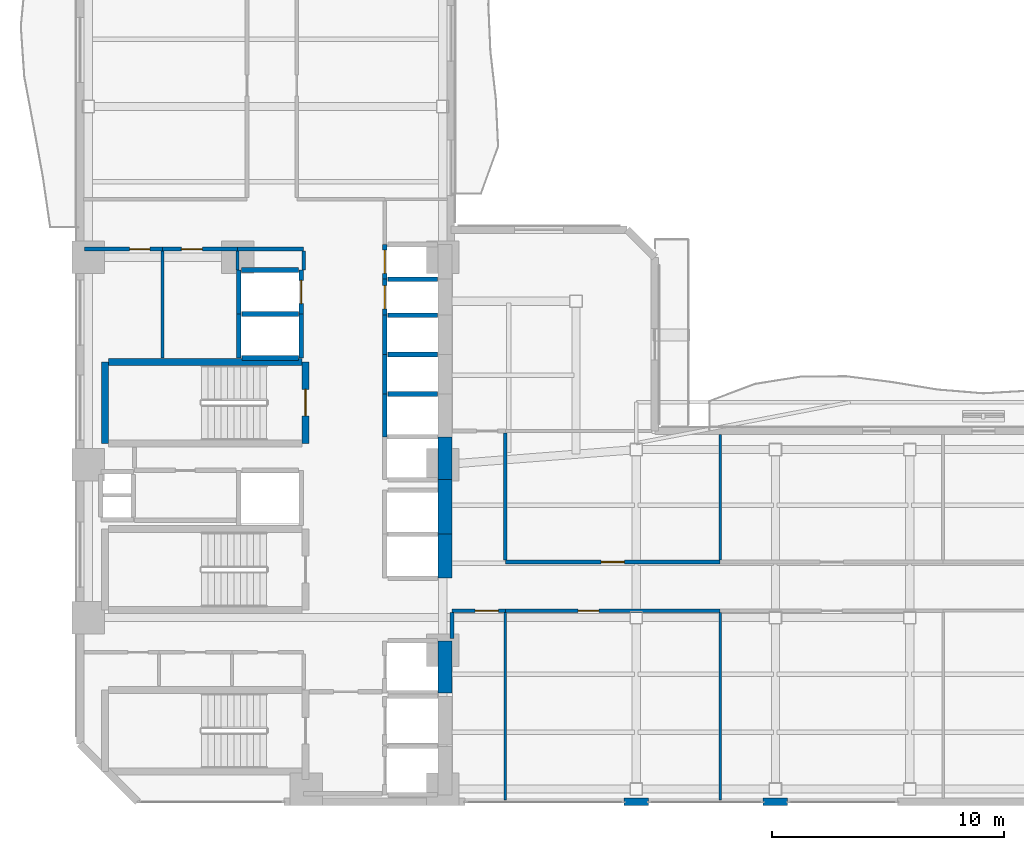
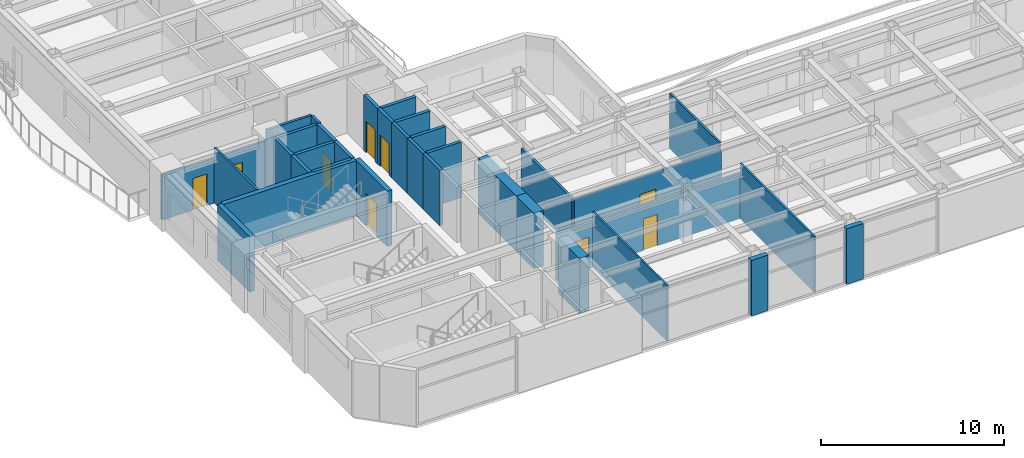
# One storey, part 10 of 17: 39 walls, 9 doors, 9 openings.
"""IFC4 building model written with IfcOpenShell, lengths in metres."""

from ifc_helpers import new_model, si_unit, direction, frame, frame_2d, origin, place, context, subcontext, project, spatial, rectangle, extrude, material, layer, layer_set, type_object, element, fill, save


model = new_model("IFC4")

# Units and contexts
model_context = context("Model", 3, precision=1e-05, world=origin(), true_north=direction((0.0, 1.0)))
body_context = subcontext(model_context, "Body", "Model", "MODEL_VIEW")
ifc_project = project(units=[si_unit("LENGTHUNIT", "METRE"), si_unit("AREAUNIT", "SQUARE_METRE"), si_unit("VOLUMEUNIT", "CUBIC_METRE"), si_unit("PLANEANGLEUNIT", "RADIAN"), si_unit("MASSUNIT", "GRAM", prefix="KILO")], contexts=[model_context])

# Site, building, storey
site_placement = place(None, origin())
site = spatial("IfcSite", under=ifc_project, at=site_placement, CompositionType="ELEMENT")
building_placement = place(site_placement, origin())
building = spatial("IfcBuilding", under=site, at=building_placement, Name="Mawjaban Terraces University", CompositionType="ELEMENT")
storey_placement = place(building_placement, frame((0.0, 0.0, 85.60009765625)))
storey = spatial("IfcBuildingStorey", under=building, at=storey_placement, Name="L20", CompositionType="ELEMENT", Elevation=85.60009765625)

# Walls
ifc_material_1 = material(Name="Concrete C70/85", Category="concrete")
ifc_layer_1 = layer(ifc_material_1, 0.60009765625)
ifc_layer_set_1 = layer_set([ifc_layer_1], Name="Concrete C70/85")
wall_type_1 = type_object("IfcWallType", Name="CoreShearWall_600", PredefinedType="SHEAR", material=ifc_layer_set_1)
wall_1_placement = place(storey_placement, frame((37.75, 4.699951171875, 0.0), z_axis=(0.0, 0.0, 1.0), x_axis=(0.0, 1.0, 0.0)))
element("IfcWall", 1, at=wall_1_placement, inside=storey, type_object=wall_type_1, Name="L20 Lift SL-1 Hoistway Wall East", PredefinedType="SHEAR", context=body_context, shape_type="SweptSolid", body=[
    extrude(rectangle(XDim=2.25, YDim=0.60009765625, at=frame_2d((1.125, 0.0))), origin(), (0.0, 0.0, 1.0), 3.68994140625),
])
wall_2_placement = place(storey_placement, frame((37.75, 9.64990234375, 0.0), z_axis=(0.0, 0.0, 1.0), x_axis=(0.0, 1.0, 0.0)))
element("IfcWall", 2, at=wall_2_placement, inside=storey, type_object=wall_type_1, Name="L20 Lift PL-H1 Hoistway Wall East", PredefinedType="SHEAR", context=body_context, shape_type="SweptSolid", body=[
    extrude(rectangle(XDim=1.900146484375, YDim=0.60009765625, at=frame_2d((0.9501953125, 0.0))), origin(), (0.0, 0.0, 1.0), 3.68994140625),
])
wall_3_placement = place(storey_placement, frame((37.75, 11.550048828125, 0.0), z_axis=(0.0, 0.0, 1.0), x_axis=(0.0, 1.0, 0.0)))
element("IfcWall", 3, at=wall_3_placement, inside=storey, type_object=wall_type_1, Name="L20 Lift PL-H2 Hoistway Wall East", PredefinedType="SHEAR", context=body_context, shape_type="SweptSolid", body=[
    extrude(rectangle(XDim=2.349853515625, YDim=0.60009765625, at=frame_2d((1.1748046875, 0.0))), origin(), (0.0, 0.0, 1.0), 3.68994140625),
])
wall_4_placement = place(storey_placement, frame((37.75, 13.89990234375, 0.0), z_axis=(0.0, 0.0, 1.0), x_axis=(0.0, 1.0, 0.0)))
element("IfcWall", 4, at=wall_4_placement, inside=storey, type_object=wall_type_1, Name="L20 Lift OL-1 Hoistway Wall East", PredefinedType="SHEAR", context=body_context, shape_type="SweptSolid", body=[
    extrude(rectangle(XDim=1.85009765625, YDim=0.60009765625, at=frame_2d((0.925048828125, 0.0))), origin(), (0.0, 0.0, 1.0), 3.68994140625),
])

# Wall, opening, door
ifc_material_2 = material(Name="Fire-rated gypsum board on steel stud", Category="steel")
ifc_layer_2 = layer(ifc_material_2, 0.159912109375)
ifc_layer_set_2 = layer_set([ifc_layer_2], Name="Fire-rated gypsum board on steel stud")
wall_type_2 = type_object("IfcWallType", Name="CorridorPartition_160", PredefinedType="PARTITIONING", material=ifc_layer_set_2)
wall_5_placement = place(storey_placement, frame((25.550048828125, 23.85009765625, 0.0), z_axis=(0.0, 0.0, 1.0), x_axis=(-1.0, 0.0, 0.0)))
wall_5 = element("IfcWall", 5, at=wall_5_placement, inside=storey, type_object=wall_type_2, Name="L20 Ablution Room Partition 5", PredefinedType="PARTITIONING", context=body_context, shape_type="SweptSolid", body=[
    extrude(rectangle(XDim=3.35009765625, YDim=0.159912109375, at=frame_2d((1.675048828125, 0.0))), origin(), (0.0, 0.0, 1.0), 2.994873046875),
])
opening_1_placement = place(wall_5_placement, frame((0.534912109375, 0.0, 0.0)))
opening_1 = element("IfcOpeningElement", 6, at=opening_1_placement, cuts=wall_5, Name="Opening ID-088", PredefinedType="OPENING", context=body_context, shape_type="SweptSolid", body=[
    extrude(rectangle(XDim=0.8798828125, YDim=2.10009765625, at=frame_2d((0.43994140625, 1.050048828125))), frame((0.0, 0.08984375, 0.0), z_axis=(0.0, -1.0, 0.0), x_axis=(1.0, 0.0, 0.0)), (0.0, 0.0, 1.0), 0.179931640625),
])
ifc_material_3 = material(Name="Powder-coated steel frame and solid acoustic timber leaf", Category="steel")
door_type_1 = type_object("IfcDoorType", Name="ToiletDoor_880x2100", OperationType="NOTDEFINED", PredefinedType="DOOR", material=ifc_material_3)
door_1_placement = place(opening_1_placement, origin())
door_1 = element("IfcDoor", 7, at=door_1_placement, inside=storey, type_object=door_type_1, Name="L20 Ablution Room Door", OperationType="SINGLE_SWING_LEFT", OverallHeight=2.10009765625, OverallWidth=0.8798828125, PredefinedType="DOOR", context=body_context, shape_type="SweptSolid", body=[
    extrude(rectangle(XDim=0.8798828125, YDim=2.10009765625, at=frame_2d((0.43994140625, 1.050048828125))), frame((0.0, 0.02490234375, 0.0), z_axis=(0.0, -1.0, 0.0), x_axis=(1.0, 0.0, 0.0)), (0.0, 0.0, 1.0), 0.050048828125),
])
fill(opening_1, door_1)

wall_6_placement = place(storey_placement, frame((28.800048828125, 23.85009765625, 0.0), z_axis=(0.0, 0.0, 1.0), x_axis=(-1.0, 0.0, 0.0)))
wall_6 = element("IfcWall", 8, at=wall_6_placement, inside=storey, type_object=wall_type_2, Name="L20 Cleaner Store Partition 7", PredefinedType="PARTITIONING", context=body_context, shape_type="SweptSolid", body=[
    extrude(rectangle(XDim=3.25, YDim=0.159912109375, at=frame_2d((1.625, 0.0))), origin(), (0.0, 0.0, 1.0), 2.994873046875),
])
opening_2_placement = place(wall_6_placement, frame((1.52490234375, 0.0, 0.0)))
opening_2 = element("IfcOpeningElement", 9, at=opening_2_placement, cuts=wall_6, Name="Opening ID-090", PredefinedType="OPENING", context=body_context, shape_type="SweptSolid", body=[
    extrude(rectangle(XDim=0.89990234375, YDim=2.10009765625, at=frame_2d((0.449951171875, 1.050048828125))), frame((0.0, 0.08984375, 0.0), z_axis=(0.0, -1.0, 0.0), x_axis=(1.0, 0.0, 0.0)), (0.0, 0.0, 1.0), 0.179931640625),
])
door_type_2 = type_object("IfcDoorType", Name="OfficeDoor_900x2100", OperationType="NOTDEFINED", PredefinedType="DOOR", material=ifc_material_3)
door_2_placement = place(opening_2_placement, origin())
door_2 = element("IfcDoor", 10, at=door_2_placement, inside=storey, type_object=door_type_2, Name="L20 Cleaner Store Door", OperationType="SINGLE_SWING_RIGHT", OverallHeight=2.10009765625, OverallWidth=0.89990234375, PredefinedType="DOOR", context=body_context, shape_type="SweptSolid", body=[
    extrude(rectangle(XDim=0.89990234375, YDim=2.10009765625, at=frame_2d((0.449951171875, 1.050048828125))), frame((0.0, 0.02490234375, 0.0), z_axis=(0.0, -1.0, 0.0), x_axis=(1.0, 0.0, 0.0)), (0.0, 0.0, 1.0), 0.050048828125),
])
fill(opening_2, door_2)

# Wall
wall_7_placement = place(storey_placement, frame((28.800048828125, 23.85009765625, 0.0), z_axis=(0.0, 0.0, 1.0), x_axis=(1.0, 0.0, 0.0)))
element("IfcWall", 11, at=wall_7_placement, inside=storey, type_object=wall_type_2, Name="L20 North Core Cross-Corridor Partition 8", PredefinedType="PARTITIONING", context=body_context, shape_type="SweptSolid", body=[
    extrude(rectangle(XDim=2.849853515625, YDim=0.159912109375, at=frame_2d((1.4248046875, 0.0))), origin(), (0.0, 0.0, 1.0), 3.68994140625),
])

# Wall, opening, door
wall_8_placement = place(storey_placement, frame((38.050048828125, 8.25, 0.0), z_axis=(0.0, 0.0, 1.0), x_axis=(1.0, 0.0, 0.0)))
wall_8 = element("IfcWall", 12, at=wall_8_placement, inside=storey, type_object=wall_type_2, Name="L20 East Academic Corridor Vestibule Partition 18", PredefinedType="PARTITIONING", context=body_context, shape_type="SweptSolid", body=[
    extrude(rectangle(XDim=2.300048828125, YDim=0.159912109375, at=frame_2d((1.14990234375, 0.0))), origin(), (0.0, 0.0, 1.0), 2.994873046875),
])
opening_3_placement = place(wall_8_placement, frame((1.0, 0.0, 0.0)))
opening_3 = element("IfcOpeningElement", 13, at=opening_3_placement, cuts=wall_8, Name="Opening ID-100", PredefinedType="OPENING", context=body_context, shape_type="SweptSolid", body=[
    extrude(rectangle(XDim=1.0, YDim=2.10009765625, at=frame_2d((0.5, 1.050048828125))), frame((0.0, 0.08984375, 0.0), z_axis=(0.0, -1.0, 0.0), x_axis=(1.0, 0.0, 0.0)), (0.0, 0.0, 1.0), 0.179931640625),
])
door_type_3 = type_object("IfcDoorType", Name="ClassroomDoor_1000x2100", OperationType="NOTDEFINED", PredefinedType="DOOR", material=ifc_material_3)
door_3_placement = place(opening_3_placement, origin())
door_3 = element("IfcDoor", 14, at=door_3_placement, inside=storey, type_object=door_type_3, Name="L20 Tutorial Room 1 Door", OperationType="SINGLE_SWING_LEFT", OverallHeight=2.10009765625, OverallWidth=1.0, PredefinedType="DOOR", context=body_context, shape_type="SweptSolid", body=[
    extrude(rectangle(XDim=1.0, YDim=2.10009765625, at=frame_2d((0.5, 1.050048828125))), frame((0.0, 0.02490234375, 0.0), z_axis=(0.0, -1.0, 0.0), x_axis=(1.0, 0.0, 0.0)), (0.0, 0.0, 1.0), 0.050048828125),
])
fill(opening_3, door_3)

wall_9_placement = place(storey_placement, frame((40.35009765625, 8.25, 0.0), z_axis=(0.0, 0.0, 1.0), x_axis=(1.0, 0.0, 0.0)))
wall_9 = element("IfcWall", 15, at=wall_9_placement, inside=storey, type_object=wall_type_2, Name="L20 East Academic Spine Corridor Partition 19", PredefinedType="PARTITIONING", context=body_context, shape_type="SweptSolid", body=[
    extrude(rectangle(XDim=9.27001953125, YDim=0.159912109375, at=frame_2d((4.635009765625, 0.0))), origin(), (0.0, 0.0, 1.0), 2.994873046875),
])
opening_4_placement = place(wall_9_placement, frame((3.135009765625, 0.0, 0.0)))
opening_4 = element("IfcOpeningElement", 16, at=opening_4_placement, cuts=wall_9, Name="Opening ID-090", PredefinedType="OPENING", context=body_context, shape_type="SweptSolid", body=[
    extrude(rectangle(XDim=0.89990234375, YDim=2.10009765625, at=frame_2d((0.449951171875, 1.050048828125))), frame((0.0, 0.08984375, 0.0), z_axis=(0.0, -1.0, 0.0), x_axis=(1.0, 0.0, 0.0)), (0.0, 0.0, 1.0), 0.179931640625),
])
door_4_placement = place(opening_4_placement, origin())
door_4 = element("IfcDoor", 17, at=door_4_placement, inside=storey, type_object=door_type_2, Name="L20 Conference Room 2 Door", OperationType="SINGLE_SWING_RIGHT", OverallHeight=2.10009765625, OverallWidth=0.89990234375, PredefinedType="DOOR", context=body_context, shape_type="SweptSolid", body=[
    extrude(rectangle(XDim=0.89990234375, YDim=2.10009765625, at=frame_2d((0.449951171875, 1.050048828125))), frame((0.0, 0.02490234375, 0.0), z_axis=(0.0, -1.0, 0.0), x_axis=(1.0, 0.0, 0.0)), (0.0, 0.0, 1.0), 0.050048828125),
])
fill(opening_4, door_4)

wall_10_placement = place(storey_placement, frame((49.6201171875, 10.35009765625, 0.0), z_axis=(0.0, 0.0, 1.0), x_axis=(-1.0, 0.0, 0.0)))
wall_10 = element("IfcWall", 18, at=wall_10_placement, inside=storey, type_object=wall_type_2, Name="L20 East Academic Spine Corridor Partition 23", PredefinedType="PARTITIONING", context=body_context, shape_type="SweptSolid", body=[
    extrude(rectangle(XDim=9.27001953125, YDim=0.159912109375, at=frame_2d((4.635009765625, 0.0))), origin(), (0.0, 0.0, 1.0), 3.226806640625),
])
opening_5_placement = place(wall_10_placement, frame((4.135009765625, 0.0, 0.0)))
opening_5 = element("IfcOpeningElement", 19, at=opening_5_placement, cuts=wall_10, Name="Opening ID-100", PredefinedType="OPENING", context=body_context, shape_type="SweptSolid", body=[
    extrude(rectangle(XDim=1.0, YDim=2.10009765625, at=frame_2d((0.5, 1.050048828125))), frame((0.0, 0.08984375, 0.0), z_axis=(0.0, -1.0, 0.0), x_axis=(1.0, 0.0, 0.0)), (0.0, 0.0, 1.0), 0.179931640625),
])
door_5_placement = place(opening_5_placement, origin())
door_5 = element("IfcDoor", 20, at=door_5_placement, inside=storey, type_object=door_type_3, Name="L20 Classroom 3 Door", OperationType="SINGLE_SWING_LEFT", OverallHeight=2.10009765625, OverallWidth=1.0, PredefinedType="DOOR", context=body_context, shape_type="SweptSolid", body=[
    extrude(rectangle(XDim=1.0, YDim=2.10009765625, at=frame_2d((0.5, 1.050048828125))), frame((0.0, 0.02490234375, 0.0), z_axis=(0.0, -1.0, 0.0), x_axis=(1.0, 0.0, 0.0)), (0.0, 0.0, 1.0), 0.050048828125),
])
fill(opening_5, door_5)

# Walls
wall_11_placement = place(storey_placement, frame((31.64990234375, 23.77490234375, 0.0), z_axis=(0.0, 0.0, 1.0), x_axis=(0.0, -1.0, 0.0)))
element("IfcWall", 21, at=wall_11_placement, inside=storey, type_object=wall_type_2, Name="L20 Passenger Lift Lobby Partition 41", PredefinedType="PARTITIONING", context=body_context, shape_type="SweptSolid", body=[
    extrude(rectangle(XDim=0.824951171875, YDim=0.159912109375, at=frame_2d((0.41259765625, 0.0))), origin(), (0.0, 0.0, 1.0), 3.68994140625),
])
wall_12_placement = place(storey_placement, frame((38.050048828125, 7.050048828125, 0.0), z_axis=(0.0, 0.0, 1.0), x_axis=(0.0, 1.0, 0.0)))
element("IfcWall", 22, at=wall_12_placement, inside=storey, type_object=wall_type_2, Name="L20 Core Stair and Lift Lobby East Partition 43", PredefinedType="PARTITIONING", context=body_context, shape_type="SweptSolid", body=[
    extrude(rectangle(XDim=1.125, YDim=0.159912109375, at=frame_2d((0.5625, 0.0))), origin(), (0.0, 0.0, 1.0), 2.994873046875),
])
wall_13_placement = place(storey_placement, frame((40.35009765625, 10.425048828125, 0.0), z_axis=(0.0, 0.0, 1.0), x_axis=(0.0, 1.0, 0.0)))
element("IfcWall", 23, at=wall_13_placement, inside=storey, type_object=wall_type_2, Name="L20 East Academic Corridor Vestibule Partition 45", PredefinedType="PARTITIONING", context=body_context, shape_type="SweptSolid", body=[
    extrude(rectangle(XDim=5.5, YDim=0.159912109375, at=frame_2d((2.75, 0.0))), origin(), (0.0, 0.0, 1.0), 3.226806640625),
])
ifc_material_4 = material(Name="Insulated terracotta rainscreen on concrete backup C40/50", Category="masonry")
ifc_layer_3 = layer(ifc_material_4, 0.320068359375)
ifc_layer_set_3 = layer_set([ifc_layer_3], Name="Insulated terracotta rainscreen on concrete backup C40/50")
wall_type_3 = type_object("IfcWallType", Name="ExtTerracottaWall_320", PredefinedType="SOLIDWALL", material=ifc_layer_set_3)
for number, where, z_axis, x_axis, name in (
    (24, (45.47509765625, 0.0, 0.0), (0.0, 0.0, 1.0), (1.0, 0.0, 0.0), "L20 Exterior Terracotta Pier Wall 1.2"),
    (25, (51.47509765625, 0.0, 0.0), (0.0, 0.0, 1.0), (1.0, 0.0, 0.0), "L20 Exterior Terracotta Pier Wall 1.3"),
):
    element("IfcWall", number, at=place(storey_placement, frame(where, z_axis=z_axis, x_axis=x_axis)), inside=storey, type_object=wall_type_3, Name=name, PredefinedType="SOLIDWALL", context=body_context, shape_type="SweptSolid", body=[
        extrude(rectangle(XDim=1.0498046875, YDim=0.320068359375, at=frame_2d((0.52490234375, 0.0))), origin(), (0.0, 0.0, 1.0), 3.68994140625),
    ])
ifc_material_5 = material(Name="Concrete C40/50", Category="concrete")
ifc_layer_4 = layer(ifc_material_5, 0.199951171875)
ifc_layer_set_4 = layer_set([ifc_layer_4], Name="Concrete C40/50")
wall_type_4 = type_object("IfcWallType", Name="FireLobbyWall_200", PredefinedType="SOLIDWALL", material=ifc_layer_set_4)
wall_14_placement = place(storey_placement, frame((35.14990234375, 17.60009765625, 0.0), z_axis=(0.0, 0.0, 1.0), x_axis=(0.0, -1.0, 0.0)))
element("IfcWall", 26, at=wall_14_placement, inside=storey, type_object=wall_type_4, Name="L20 Lift OL-2 Hoistway Wall West", PredefinedType="SOLIDWALL", context=body_context, shape_type="SweptSolid", body=[
    extrude(rectangle(XDim=1.85009765625, YDim=0.199951171875, at=frame_2d((0.925048828125, 0.0))), origin(), (0.0, 0.0, 1.0), 3.68994140625),
])
wall_15_placement = place(storey_placement, frame((37.419921875, 17.60009765625, 0.0), z_axis=(0.0, 0.0, 1.0), x_axis=(-1.0, 0.0, 0.0)))
element("IfcWall", 27, at=wall_15_placement, inside=storey, type_object=wall_type_4, Name="L20 Lift OL-2 Hoistway Wall North", PredefinedType="SOLIDWALL", context=body_context, shape_type="SweptSolid", body=[
    extrude(rectangle(XDim=2.139892578125, YDim=0.199951171875, at=frame_2d((1.06982421875, 0.0))), origin(), (0.0, 0.0, 1.0), 3.68994140625),
])
wall_16_placement = place(storey_placement, frame((35.14990234375, 19.300048828125, 0.0), z_axis=(0.0, 0.0, 1.0), x_axis=(0.0, -1.0, 0.0)))
element("IfcWall", 28, at=wall_16_placement, inside=storey, type_object=wall_type_4, Name="L20 Lift PL-M1 Hoistway Wall West", PredefinedType="SOLIDWALL", context=body_context, shape_type="SweptSolid", body=[
    extrude(rectangle(XDim=1.699951171875, YDim=0.199951171875, at=frame_2d((0.85009765625, 0.0))), origin(), (0.0, 0.0, 1.0), 3.68994140625),
])
wall_17_placement = place(storey_placement, frame((37.419921875, 19.300048828125, 0.0), z_axis=(0.0, 0.0, 1.0), x_axis=(-1.0, 0.0, 0.0)))
element("IfcWall", 29, at=wall_17_placement, inside=storey, type_object=wall_type_4, Name="L20 Lift PL-M1 Hoistway Wall North", PredefinedType="SOLIDWALL", context=body_context, shape_type="SweptSolid", body=[
    extrude(rectangle(XDim=2.139892578125, YDim=0.199951171875, at=frame_2d((1.06982421875, 0.0))), origin(), (0.0, 0.0, 1.0), 3.68994140625),
])
wall_18_placement = place(storey_placement, frame((35.14990234375, 21.0, 0.0), z_axis=(0.0, 0.0, 1.0), x_axis=(0.0, -1.0, 0.0)))
element("IfcWall", 30, at=wall_18_placement, inside=storey, type_object=wall_type_4, Name="L20 Lift PL-M2 Hoistway Wall West", PredefinedType="SOLIDWALL", context=body_context, shape_type="SweptSolid", body=[
    extrude(rectangle(XDim=1.699951171875, YDim=0.199951171875, at=frame_2d((0.85009765625, 0.0))), origin(), (0.0, 0.0, 1.0), 3.68994140625),
])
wall_19_placement = place(storey_placement, frame((37.419921875, 21.0, 0.0), z_axis=(0.0, 0.0, 1.0), x_axis=(-1.0, 0.0, 0.0)))
element("IfcWall", 31, at=wall_19_placement, inside=storey, type_object=wall_type_4, Name="L20 Lift PL-M2 Hoistway Wall North", PredefinedType="SOLIDWALL", context=body_context, shape_type="SweptSolid", body=[
    extrude(rectangle(XDim=2.139892578125, YDim=0.199951171875, at=frame_2d((1.06982421875, 0.0))), origin(), (0.0, 0.0, 1.0), 3.68994140625),
])
for number, where, z_axis, x_axis, name in (
    (32, (28.85009765625, 21.050048828125, 0.0), (0.0, 0.0, 1.0), (0.0, -1.0, 0.0), "L20 Lift PL-M3 Hoistway Wall West"),
    (33, (31.550048828125, 19.14990234375, 0.0), (0.0, 0.0, 1.0), (0.0, 1.0, 0.0), "L20 Lift PL-M3 Hoistway Wall East"),
):
    element("IfcWall", number, at=place(storey_placement, frame(where, z_axis=z_axis, x_axis=x_axis)), inside=storey, type_object=wall_type_4, Name=name, PredefinedType="SOLIDWALL", context=body_context, shape_type="SweptSolid", body=[
        extrude(rectangle(XDim=1.900146484375, YDim=0.199951171875, at=frame_2d((0.9501953125, 0.0))), origin(), (0.0, 0.0, 1.0), 3.68994140625),
    ])
for number, where, z_axis, x_axis, name in (
    (34, (28.97998046875, 19.14990234375, 0.0), (0.0, 0.0, 1.0), (1.0, 0.0, 0.0), "L20 Lift PL-M3 Hoistway Wall South"),
    (35, (31.419921875, 21.050048828125, 0.0), (0.0, 0.0, 1.0), (-1.0, 0.0, 0.0), "L20 Lift PL-M3 Hoistway Wall North"),
):
    element("IfcWall", number, at=place(storey_placement, frame(where, z_axis=z_axis, x_axis=x_axis)), inside=storey, type_object=wall_type_4, Name=name, PredefinedType="SOLIDWALL", context=body_context, shape_type="SweptSolid", body=[
        extrude(rectangle(XDim=2.43994140625, YDim=0.199951171875, at=frame_2d((1.219970703125, 0.0))), origin(), (0.0, 0.0, 1.0), 3.68994140625),
    ])

# Wall, opening, door
wall_20_placement = place(storey_placement, frame((35.14990234375, 22.550048828125, 0.0), z_axis=(0.0, 0.0, 1.0), x_axis=(0.0, -1.0, 0.0)))
wall_20 = element("IfcWall", 36, at=wall_20_placement, inside=storey, type_object=wall_type_4, Name="L20 Lift PL-L1 Hoistway Wall West", PredefinedType="SOLIDWALL", context=body_context, shape_type="SweptSolid", body=[
    extrude(rectangle(XDim=1.550048828125, YDim=0.199951171875, at=frame_2d((0.77490234375, 0.0))), origin(), (0.0, 0.0, 1.0), 3.68994140625),
])
opening_6_placement = place(wall_20_placement, frame((0.27490234375, 0.0, 0.0)))
opening_6 = element("IfcOpeningElement", 37, at=opening_6_placement, cuts=wall_20, Name="Opening LD-PL-L1", PredefinedType="OPENING", context=body_context, shape_type="SweptSolid", body=[
    extrude(rectangle(XDim=1.0, YDim=2.10009765625, at=frame_2d((0.5, 1.050048828125))), frame((0.0, 0.10986328125, 0.0), z_axis=(0.0, -1.0, 0.0), x_axis=(1.0, 0.0, 0.0)), (0.0, 0.0, 1.0), 0.219970703125),
])
ifc_material_6 = material(Name="Powder-coated steel frame and fire-rated steel-faced leaf", Category="steel")
door_type_4 = type_object("IfcDoorType", Name="LiftLandingSliding_1000x2100", OperationType="NOTDEFINED", PredefinedType="DOOR", material=ifc_material_6)
door_6_placement = place(opening_6_placement, origin())
door_6 = element("IfcDoor", 38, at=door_6_placement, inside=storey, type_object=door_type_4, Name="L20 Lift PL-L1 Sliding Landing Door", OperationType="DOUBLE_DOOR_SLIDING", OverallHeight=2.10009765625, OverallWidth=1.0, PredefinedType="DOOR", context=body_context, shape_type="SweptSolid", body=[
    extrude(rectangle(XDim=1.0, YDim=2.10009765625, at=frame_2d((0.5, 1.050048828125))), frame((0.0, 0.02490234375, 0.0), z_axis=(0.0, -1.0, 0.0), x_axis=(1.0, 0.0, 0.0)), (0.0, 0.0, 1.0), 0.050048828125),
])
fill(opening_6, door_6)

# Wall
wall_21_placement = place(storey_placement, frame((37.419921875, 22.550048828125, 0.0), z_axis=(0.0, 0.0, 1.0), x_axis=(-1.0, 0.0, 0.0)))
element("IfcWall", 39, at=wall_21_placement, inside=storey, type_object=wall_type_4, Name="L20 Lift PL-L1 Hoistway Wall North", PredefinedType="SOLIDWALL", context=body_context, shape_type="SweptSolid", body=[
    extrude(rectangle(XDim=2.139892578125, YDim=0.199951171875, at=frame_2d((1.06982421875, 0.0))), origin(), (0.0, 0.0, 1.0), 3.68994140625),
])

# Wall, opening, door
wall_22_placement = place(storey_placement, frame((35.14990234375, 24.050048828125, 0.0), z_axis=(0.0, 0.0, 1.0), x_axis=(0.0, -1.0, 0.0)))
wall_22 = element("IfcWall", 40, at=wall_22_placement, inside=storey, type_object=wall_type_4, Name="L20 Lift PL-L2 Hoistway Wall West", PredefinedType="SOLIDWALL", context=body_context, shape_type="SweptSolid", body=[
    extrude(rectangle(XDim=1.5, YDim=0.199951171875, at=frame_2d((0.75, 0.0))), origin(), (0.0, 0.0, 1.0), 3.68994140625),
])
opening_7_placement = place(wall_22_placement, frame((0.25, 0.0, 0.0)))
opening_7 = element("IfcOpeningElement", 41, at=opening_7_placement, cuts=wall_22, Name="Opening LD-PL-L2", PredefinedType="OPENING", context=body_context, shape_type="SweptSolid", body=[
    extrude(rectangle(XDim=1.0, YDim=2.10009765625, at=frame_2d((0.5, 1.050048828125))), frame((0.0, 0.10986328125, 0.0), z_axis=(0.0, -1.0, 0.0), x_axis=(1.0, 0.0, 0.0)), (0.0, 0.0, 1.0), 0.219970703125),
])
door_7_placement = place(opening_7_placement, origin())
door_7 = element("IfcDoor", 42, at=door_7_placement, inside=storey, type_object=door_type_4, Name="L20 Lift PL-L2 Sliding Landing Door", OperationType="DOUBLE_DOOR_SLIDING", OverallHeight=2.10009765625, OverallWidth=1.0, PredefinedType="DOOR", context=body_context, shape_type="SweptSolid", body=[
    extrude(rectangle(XDim=1.0, YDim=2.10009765625, at=frame_2d((0.5, 1.050048828125))), frame((0.0, 0.02490234375, 0.0), z_axis=(0.0, -1.0, 0.0), x_axis=(1.0, 0.0, 0.0)), (0.0, 0.0, 1.0), 0.050048828125),
])
fill(opening_7, door_7)

# Wall
wall_23_placement = place(storey_placement, frame((28.85009765625, 22.949951171875, 0.0), z_axis=(0.0, 0.0, 1.0), x_axis=(0.0, -1.0, 0.0)))
element("IfcWall", 43, at=wall_23_placement, inside=storey, type_object=wall_type_4, Name="L20 Lift PL-L3 Hoistway Wall West", PredefinedType="SOLIDWALL", context=body_context, shape_type="SweptSolid", body=[
    extrude(rectangle(XDim=1.89990234375, YDim=0.199951171875, at=frame_2d((0.949951171875, 0.0))), origin(), (0.0, 0.0, 1.0), 3.68994140625),
])

# Wall, opening, door
wall_24_placement = place(storey_placement, frame((31.550048828125, 21.050048828125, 0.0), z_axis=(0.0, 0.0, 1.0), x_axis=(0.0, 1.0, 0.0)))
wall_24 = element("IfcWall", 44, at=wall_24_placement, inside=storey, type_object=wall_type_4, Name="L20 Lift PL-L3 Hoistway Wall East", PredefinedType="SOLIDWALL", context=body_context, shape_type="SweptSolid", body=[
    extrude(rectangle(XDim=1.89990234375, YDim=0.199951171875, at=frame_2d((0.949951171875, 0.0))), origin(), (0.0, 0.0, 1.0), 3.68994140625),
])
opening_8_placement = place(wall_24_placement, frame((0.449951171875, 0.0, 0.0)))
opening_8 = element("IfcOpeningElement", 45, at=opening_8_placement, cuts=wall_24, Name="Opening LD-PL-L3", PredefinedType="OPENING", context=body_context, shape_type="SweptSolid", body=[
    extrude(rectangle(XDim=1.0, YDim=2.10009765625, at=frame_2d((0.5, 1.050048828125))), frame((0.0, 0.10986328125, 0.0), z_axis=(0.0, -1.0, 0.0), x_axis=(1.0, 0.0, 0.0)), (0.0, 0.0, 1.0), 0.219970703125),
])
door_8_placement = place(opening_8_placement, origin())
door_8 = element("IfcDoor", 46, at=door_8_placement, inside=storey, type_object=door_type_4, Name="L20 Lift PL-L3 Sliding Landing Door", OperationType="DOUBLE_DOOR_SLIDING", OverallHeight=2.10009765625, OverallWidth=1.0, PredefinedType="DOOR", context=body_context, shape_type="SweptSolid", body=[
    extrude(rectangle(XDim=1.0, YDim=2.10009765625, at=frame_2d((0.5, 1.050048828125))), frame((0.0, 0.02490234375, 0.0), z_axis=(0.0, -1.0, 0.0), x_axis=(1.0, 0.0, 0.0)), (0.0, 0.0, 1.0), 0.050048828125),
])
fill(opening_8, door_8)

# Walls
wall_25_placement = place(storey_placement, frame((31.429931640625, 22.949951171875, 0.0), z_axis=(0.0, 0.0, 1.0), x_axis=(-1.0, 0.0, 0.0)))
element("IfcWall", 47, at=wall_25_placement, inside=storey, type_object=wall_type_4, Name="L20 Lift PL-L3 Hoistway Wall North", PredefinedType="SOLIDWALL", context=body_context, shape_type="SweptSolid", body=[
    extrude(rectangle(XDim=2.4599609375, YDim=0.199951171875, at=frame_2d((1.22998046875, 0.0))), origin(), (0.0, 0.0, 1.0), 3.68994140625),
])
ifc_material_7 = material(Name="Gypsum plasterboard on steel stud", Category="steel")
ifc_layer_5 = layer(ifc_material_7, 0.125)
ifc_layer_set_5 = layer_set([ifc_layer_5], Name="Gypsum plasterboard on steel stud")
wall_type_5 = type_object("IfcWallType", Name="OfficePartition_125", PredefinedType="PARTITIONING", material=ifc_layer_set_5)
wall_26_placement = place(storey_placement, frame((28.800048828125, 22.949951171875, 0.0), z_axis=(0.0, 0.0, 1.0), x_axis=(0.0, 1.0, 0.0)))
element("IfcWall", 48, at=wall_26_placement, inside=storey, type_object=wall_type_5, Name="L20 Cleaner Store Partition 33", PredefinedType="PARTITIONING", context=body_context, shape_type="SweptSolid", body=[
    extrude(rectangle(XDim=0.824951171875, YDim=0.125, at=frame_2d((0.41259765625, 0.0))), origin(), (0.0, 0.0, 1.0), 3.68994140625),
])
wall_27_placement = place(storey_placement, frame((49.6201171875, 0.090087890625, 0.0), z_axis=(0.0, 0.0, 1.0), x_axis=(0.0, 1.0, 0.0)))
element("IfcWall", 49, at=wall_27_placement, inside=storey, type_object=wall_type_5, Name="L20 Conference Room 2 Partition 46", PredefinedType="PARTITIONING", context=body_context, shape_type="SweptSolid", body=[
    extrude(rectangle(XDim=8.0849609375, YDim=0.125, at=frame_2d((4.04248046875, 0.0))), origin(), (0.0, 0.0, 1.0), 3.68994140625),
])
wall_28_placement = place(storey_placement, frame((49.6201171875, 10.425048828125, 0.0), z_axis=(0.0, 0.0, 1.0), x_axis=(0.0, 1.0, 0.0)))
element("IfcWall", 50, at=wall_28_placement, inside=storey, type_object=wall_type_5, Name="L20 Classroom 3 Partition 47", PredefinedType="PARTITIONING", context=body_context, shape_type="SweptSolid", body=[
    extrude(rectangle(XDim=5.419921875, YDim=0.125, at=frame_2d((2.7099609375, 0.0))), origin(), (0.0, 0.0, 1.0), 3.68994140625),
])
ifc_material_8 = material(Name="Acoustic operable panel partition", Category="masonry")
ifc_layer_6 = layer(ifc_material_8, 0.110107421875)
ifc_layer_set_6 = layer_set([ifc_layer_6], Name="Acoustic operable panel partition")
wall_type_6 = type_object("IfcWallType", Name="OperableSeminarWall_110", PredefinedType="MOVABLE", material=ifc_layer_set_6)
wall_29_placement = place(storey_placement, frame((40.35009765625, 0.090087890625, 0.0), z_axis=(0.0, 0.0, 1.0), x_axis=(0.0, 1.0, 0.0)))
element("IfcWall", 51, at=wall_29_placement, inside=storey, type_object=wall_type_6, Name="L20 Tutorial Room 1 Partition 44", PredefinedType="MOVABLE", context=body_context, shape_type="SweptSolid", body=[
    extrude(rectangle(XDim=8.0849609375, YDim=0.110107421875, at=frame_2d((4.04248046875, 0.0))), origin(), (0.0, 0.0, 1.0), 3.68994140625),
])
ifc_material_9 = material(Name="Concrete C60/75", Category="concrete")
ifc_layer_7 = layer(ifc_material_9, 0.300048828125)
ifc_layer_set_7 = layer_set([ifc_layer_7], Name="Concrete C60/75")
wall_type_7 = type_object("IfcWallType", Name="StairShaftWall_300", PredefinedType="SHEAR", material=ifc_layer_set_7)
wall_30_placement = place(storey_placement, frame((31.580078125, 18.97998046875, 0.0), z_axis=(0.0, 0.0, 1.0), x_axis=(-1.0, 0.0, 0.0)))
element("IfcWall", 52, at=wall_30_placement, inside=storey, type_object=wall_type_7, Name="L20 ST-2 Stair Shaft Wall 1", PredefinedType="SHEAR", context=body_context, shape_type="SweptSolid", body=[
    extrude(rectangle(XDim=8.360107421875, YDim=0.300048828125, at=frame_2d((4.18017578125, 0.0))), origin(), (0.0, 0.0, 1.0), 3.68994140625),
])
wall_31_placement = place(storey_placement, frame((23.070068359375, 18.97998046875, 0.0), z_axis=(0.0, 0.0, 1.0), x_axis=(0.0, -1.0, 0.0)))
element("IfcWall", 53, at=wall_31_placement, inside=storey, type_object=wall_type_7, Name="L20 ST-2 Stair Shaft Wall 2", PredefinedType="SHEAR", context=body_context, shape_type="SweptSolid", body=[
    extrude(rectangle(XDim=3.510009765625, YDim=0.300048828125, at=frame_2d((1.7548828125, 0.0))), origin(), (0.0, 0.0, 1.0), 3.68994140625),
])

# Wall, opening, door
wall_32_placement = place(storey_placement, frame((31.72998046875, 15.469970703125, 0.0), z_axis=(0.0, 0.0, 1.0), x_axis=(0.0, 1.0, 0.0)))
wall_32 = element("IfcWall", 54, at=wall_32_placement, inside=storey, type_object=wall_type_7, Name="L20 ST-2 Stair Shaft Wall 4", PredefinedType="SHEAR", context=body_context, shape_type="SweptSolid", body=[
    extrude(rectangle(XDim=3.510009765625, YDim=0.300048828125, at=frame_2d((1.7548828125, 0.0))), origin(), (0.0, 0.0, 1.0), 3.68994140625),
])
opening_9_placement = place(wall_32_placement, frame((1.179931640625, 0.0, 0.0)))
opening_9 = element("IfcOpeningElement", 55, at=opening_9_placement, cuts=wall_32, Name="Opening FD-115", PredefinedType="OPENING", context=body_context, shape_type="SweptSolid", body=[
    extrude(rectangle(XDim=1.14990234375, YDim=2.14990234375, at=frame_2d((0.574951171875, 1.074951171875))), frame((0.0, 0.159912109375, 0.0), z_axis=(0.0, -1.0, 0.0), x_axis=(1.0, 0.0, 0.0)), (0.0, 0.0, 1.0), 0.320068359375),
])
door_type_5 = type_object("IfcDoorType", Name="FireStairDoor_1150x2150", OperationType="NOTDEFINED", PredefinedType="DOOR", material=ifc_material_6)
door_9_placement = place(opening_9_placement, origin())
door_9 = element("IfcDoor", 56, at=door_9_placement, inside=storey, type_object=door_type_5, Name="L20 ST-2 Pressurised Stair Fire Door", OperationType="SINGLE_SWING_RIGHT", OverallHeight=2.14990234375, OverallWidth=1.14990234375, PredefinedType="DOOR", context=body_context, shape_type="SweptSolid", body=[
    extrude(rectangle(XDim=1.14990234375, YDim=2.14990234375, at=frame_2d((0.574951171875, 1.074951171875))), frame((0.0, 0.02490234375, 0.0), z_axis=(0.0, -1.0, 0.0), x_axis=(1.0, 0.0, 0.0)), (0.0, 0.0, 1.0), 0.050048828125),
])
fill(opening_9, door_9)

# Wall
ifc_material_10 = material(Name="Cement-board wet-room partition", Category="masonry")
ifc_layer_8 = layer(ifc_material_10, 0.135009765625)
ifc_layer_set_8 = layer_set([ifc_layer_8], Name="Cement-board wet-room partition")
wall_type_8 = type_object("IfcWallType", Name="WetRoomPartition_135", PredefinedType="PARTITIONING", material=ifc_layer_set_8)
wall_33_placement = place(storey_placement, frame((25.550048828125, 19.159912109375, 0.0), z_axis=(0.0, 0.0, 1.0), x_axis=(0.0, 1.0, 0.0)))
element("IfcWall", 57, at=wall_33_placement, inside=storey, type_object=wall_type_8, Name="L20 Ablution Room Partition 31", PredefinedType="PARTITIONING", context=body_context, shape_type="SweptSolid", body=[
    extrude(rectangle(XDim=4.614990234375, YDim=0.135009765625, at=frame_2d((2.3076171875, 0.0))), origin(), (0.0, 0.0, 1.0), 3.68994140625),
])

save(model, "model.ifc")
